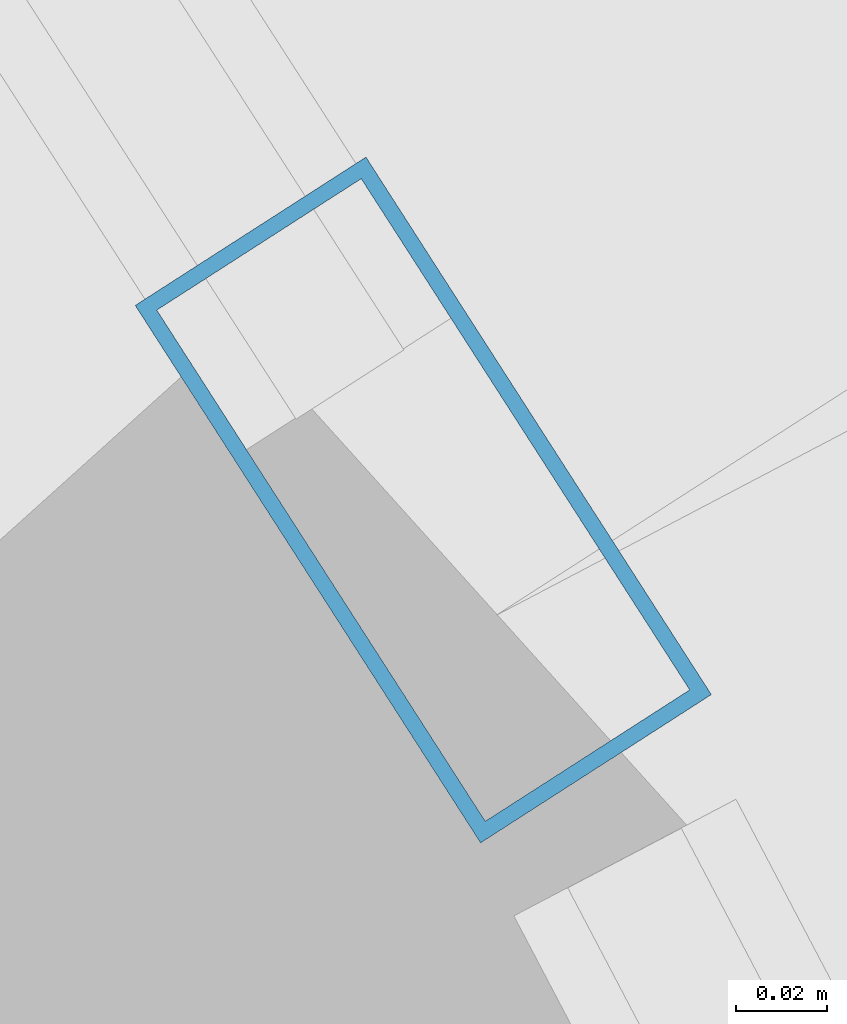
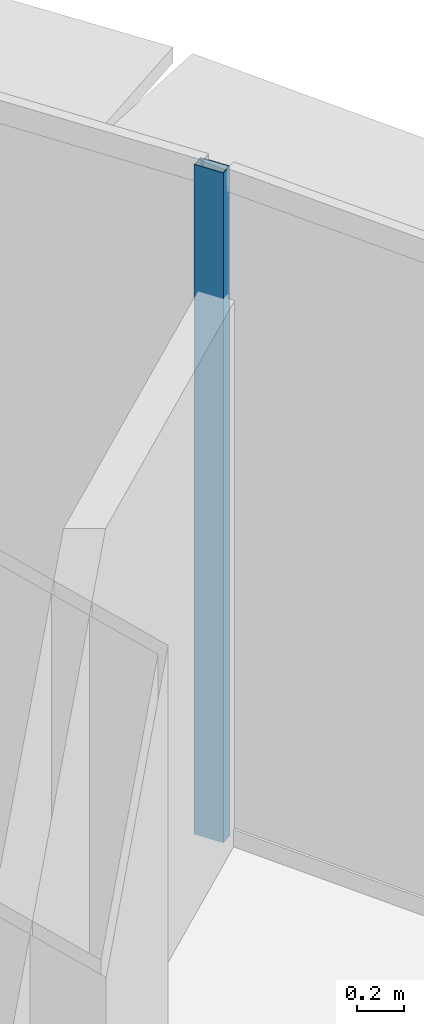
# One storey, part 21 of 36: 1 member, 1 element without a shape of its own.
"""IFC4 building model written with IfcOpenShell, lengths in metres."""

from ifc_helpers import new_model, si_unit, direction, frame, origin, origin_2d, place, context, subcontext, project, spatial, hollow_rectangle, extrude, source, transform, mapped, material, layer, layer_set, material_profile, profile_set, type_object, element, aggregate, save


model = new_model("IFC4")

# Units and contexts
model_context = context("Model", 3, precision=1e-05, world=origin(), true_north=direction((0.0, 1.0)))
body_context = subcontext(model_context, "Body", "Model", "MODEL_VIEW")
ifc_project = project(units=[si_unit("LENGTHUNIT", "METRE"), si_unit("AREAUNIT", "SQUARE_METRE"), si_unit("VOLUMEUNIT", "CUBIC_METRE"), si_unit("PLANEANGLEUNIT", "RADIAN"), si_unit("MASSUNIT", "GRAM", prefix="KILO"), si_unit("THERMODYNAMICTEMPERATUREUNIT", "KELVIN"), si_unit("POWERUNIT", "WATT")], contexts=[model_context])

# Site, building, storey
site_placement = place(None, origin())
site = spatial("IfcSite", under=ifc_project, at=site_placement, CompositionType="ELEMENT")
building_placement = place(site_placement, origin())
building = spatial("IfcBuilding", under=site, at=building_placement, Name="Yunzhuo Pagoda Commons", CompositionType="ELEMENT")
storey_placement = place(building_placement, frame((0.0, 0.0, 244.530029296875)))
storey = spatial("IfcBuildingStorey", under=building, at=storey_placement, Name="L61", CompositionType="ELEMENT", Elevation=244.530029296875)

# Curtain wall, member
ifc_material = material(Name="Anodized aluminium 6063-T6", Category="aluminium")
ifc_layer = layer(ifc_material, 0.139892578125)
ifc_layer_set = layer_set([ifc_layer], Name="Anodized aluminium 6063-T6")
curtain_wall_type = type_object("IfcCurtainWallType", Name="CW-HI High-Zone Ribbon Curtain Wall", PredefinedType="NOTDEFINED", material=ifc_layer_set)
curtain_wall_placement = place(storey_placement, origin())
curtain_wall = element("IfcCurtainWall", 1, at=curtain_wall_placement, inside=storey, type_object=curtain_wall_type, Name="L61 curtain wall CW-L61-F2B4", PredefinedType="NOTDEFINED")
ifc_material_profile = material_profile(ifc_material, hollow_rectangle(XDim=0.06005859375, YDim=0.139892578125, WallThickness=0.00341796875, at=origin_2d()), Name="Anodized aluminium 6063-T6")
ifc_profile_set = profile_set([ifc_material_profile], Name="Anodized aluminium 6063-T6")
member_type = type_object("IfcMemberType", Name="CW-HI-M Mullion RHS 140x60x3.5", PredefinedType="MULLION", material=ifc_profile_set)
shared_shape = source(origin(), body_context, "Body", "SweptSolid", [
    extrude(hollow_rectangle(XDim=0.06005859375, YDim=0.139892578125, WallThickness=0.00341796875, at=origin_2d()), origin(), (0.0, 0.0, 1.0), 3.469970703125),
])
member_placement = place(storey_placement, frame((70.3955078125, 53.90478515625, 0.0), z_axis=(0.0, 0.0, 1.0), x_axis=(-0.841269037614, -0.540616690782, 0.0)))
member = element("IfcMember", 2, at=member_placement, type_object=member_type, Name="CW mullion 1", PredefinedType="MULLION", context=body_context, shape_type="MappedRepresentation", body=[
    mapped(shared_shape, transform((0.0, 0.0, 0.0), scale=1.0)),
])
aggregate(curtain_wall, [member])

save(model, "model.ifc")
